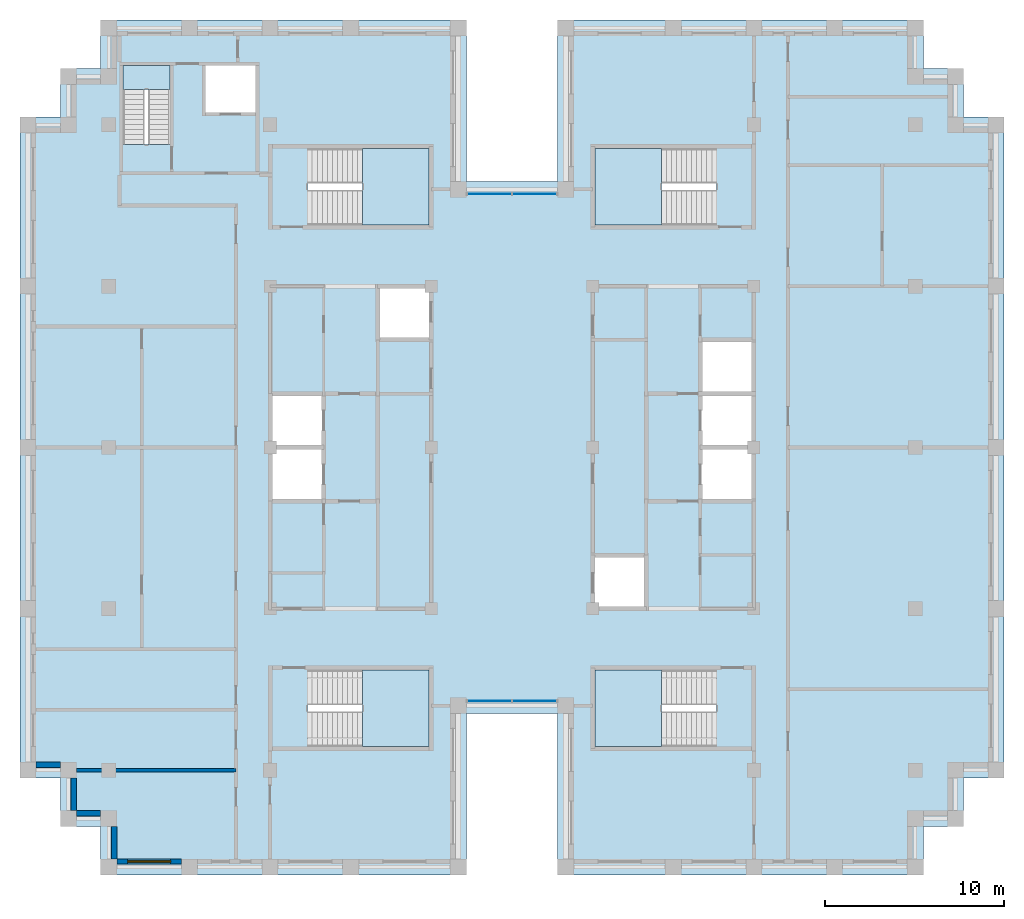
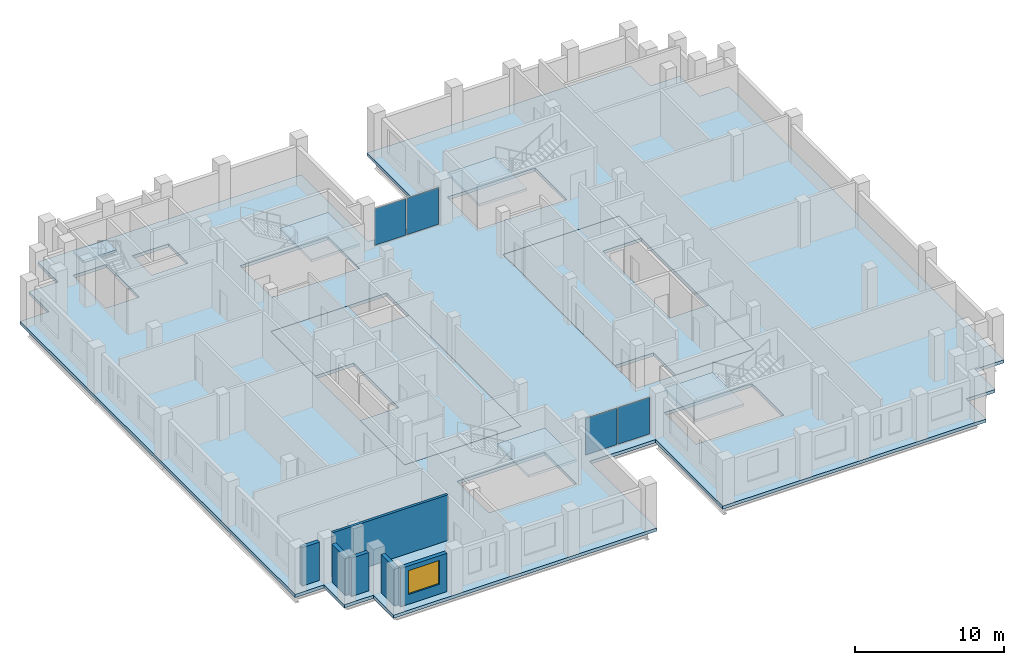
# One storey, part 5 of 13: 8 slabs, 6 walls, 4 plates, 1 window, 1 opening, 7 elements without a shape of their own.
"""IFC4 building model written with IfcOpenShell, lengths in metres."""

from ifc_helpers import new_model, si_unit, direction, frame, frame_2d, origin, origin_2d, place, context, subcontext, project, spatial, polyline, rectangle, outline, extrude, material, layer, layer_set, type_object, element, fill, aggregate, save


model = new_model("IFC4")

# Units and contexts
model_context = context("Model", 3, precision=1e-05, world=origin(), true_north=direction((0.0, 1.0)))
body_context = subcontext(model_context, "Body", "Model", "MODEL_VIEW")
ifc_project = project(units=[si_unit("LENGTHUNIT", "METRE"), si_unit("AREAUNIT", "SQUARE_METRE"), si_unit("VOLUMEUNIT", "CUBIC_METRE"), si_unit("PLANEANGLEUNIT", "RADIAN"), si_unit("MASSUNIT", "GRAM", prefix="KILO")], contexts=[model_context])

# Site, building, storey
site_placement = place(None, origin())
site = spatial("IfcSite", under=ifc_project, at=site_placement, CompositionType="ELEMENT")
building_placement = place(site_placement, origin())
building = spatial("IfcBuilding", under=site, at=building_placement, Name="Corbelhall Arena Tower", CompositionType="ELEMENT")
storey_placement = place(building_placement, frame((0.0, 0.0, 308.0)))
storey = spatial("IfcBuildingStorey", under=building, at=storey_placement, Name="L67", CompositionType="ELEMENT", Elevation=308.0)

# Curtain wall, plates
ifc_material_1 = material(Name="Aluminium black anodised", Category="aluminium")
ifc_layer_1 = layer(ifc_material_1, 0.199951171875)
ifc_layer_set_1 = layer_set([ifc_layer_1], Name="EV-CW1 Slot back wall")
curtain_wall_type = type_object("IfcCurtainWallType", Name="EV-CW1 Slot back wall", PredefinedType="NOTDEFINED", material=ifc_layer_set_1)
curtain_wall_1_placement = place(storey_placement, origin())
curtain_wall_1 = element("IfcCurtainWall", 1, at=curtain_wall_1_placement, inside=storey, type_object=curtain_wall_type, Name="Curtain wall CW1", PredefinedType="NOTDEFINED")
ifc_material_2 = material(Name="Glass dark tinted laminated", Category="glass")
ifc_layer_2 = layer(ifc_material_2, 0.028076171875)
ifc_layer_set_2 = layer_set([ifc_layer_2], Name="EV-CW1-PANEL")
plate_type = type_object("IfcPlateType", Name="EV-CW1-PANEL", PredefinedType="CURTAIN_PANEL", material=ifc_layer_set_2)
plate_1_placement = place(storey_placement, frame((-1.25634765625, -14.14990234375, 0.0751953125), z_axis=(0.0, 0.0, 1.0), x_axis=(1.0, 0.0, 0.0)))
plate_1 = element("IfcPlate", 2, at=plate_1_placement, type_object=plate_type, Name="CW1 panel 1.1", PredefinedType="CURTAIN_PANEL", context=body_context, shape_type="SweptSolid", body=[
    extrude(rectangle(XDim=2.4375, YDim=0.028076171875, at=origin_2d()), origin(), (0.0, 0.0, 1.0), 2.989990234375),
])
plate_2_placement = place(storey_placement, frame((1.25634765625, -14.14990234375, 0.0751953125), z_axis=(0.0, 0.0, 1.0), x_axis=(1.0, 0.0, 0.0)))
plate_2 = element("IfcPlate", 3, at=plate_2_placement, type_object=plate_type, Name="CW1 panel 2.1", PredefinedType="CURTAIN_PANEL", context=body_context, shape_type="SweptSolid", body=[
    extrude(rectangle(XDim=2.4375, YDim=0.028076171875, at=origin_2d()), origin(), (0.0, 0.0, 1.0), 2.989990234375),
])
aggregate(curtain_wall_1, [plate_1, plate_2])

curtain_wall_2_placement = place(storey_placement, origin())
curtain_wall_2 = element("IfcCurtainWall", 4, at=curtain_wall_2_placement, inside=storey, type_object=curtain_wall_type, Name="Curtain wall CW1", PredefinedType="NOTDEFINED")
plate_3_placement = place(storey_placement, frame((1.25634765625, 14.14990234375, 0.0751953125), z_axis=(0.0, 0.0, 1.0), x_axis=(-1.0, 0.0, 0.0)))
plate_3 = element("IfcPlate", 5, at=plate_3_placement, type_object=plate_type, Name="CW1 panel 1.1", PredefinedType="CURTAIN_PANEL", context=body_context, shape_type="SweptSolid", body=[
    extrude(rectangle(XDim=2.4375, YDim=0.028076171875, at=origin_2d()), origin(), (0.0, 0.0, 1.0), 2.989990234375),
])
plate_4_placement = place(storey_placement, frame((-1.25634765625, 14.14990234375, 0.0751953125), z_axis=(0.0, 0.0, 1.0), x_axis=(-1.0, 0.0, 0.0)))
plate_4 = element("IfcPlate", 6, at=plate_4_placement, type_object=plate_type, Name="CW1 panel 2.1", PredefinedType="CURTAIN_PANEL", context=body_context, shape_type="SweptSolid", body=[
    extrude(rectangle(XDim=2.4375, YDim=0.028076171875, at=origin_2d()), origin(), (0.0, 0.0, 1.0), 2.989990234375),
])
aggregate(curtain_wall_2, [plate_3, plate_4])

# Slabs
ifc_material_3 = material(Name="Concrete C40/50", Category="concrete")
ifc_layer_3 = layer(ifc_material_3, 0.300048828125)
ifc_layer_set_3 = layer_set([ifc_layer_3], Name="IN-SL-CORE")
slab_type_1 = type_object("IfcSlabType", Name="IN-SL-CORE", PredefinedType="FLOOR", material=ifc_layer_set_3)
slab_1_placement = place(storey_placement, frame((0.0, 0.0, -0.260009765625)))
element("IfcSlab", 7, at=slab_1_placement, inside=storey, type_object=slab_type_1, Name="Core floor W", PredefinedType="FLOOR", context=body_context, shape_type="SweptSolid", body=[
    extrude(outline(polyline([(-13.5, -3.0), (-13.5, -9.0), (-4.5, -9.0), (-4.5, 6.0), (-7.5, 6.0), (-7.5, 9.0), (-13.5, 9.0), (-13.5, 3.0), (-10.5, 3.0), (-10.5, 0.0), (-10.5, -3.0), (-13.5, -3.0)])), origin(), (0.0, 0.0, 1.0), 0.260009765625),
])
slab_2_placement = place(storey_placement, frame((0.0, 0.0, -0.260009765625)))
element("IfcSlab", 8, at=slab_2_placement, inside=storey, type_object=slab_type_1, Name="Core floor E", PredefinedType="FLOOR", context=body_context, shape_type="SweptSolid", body=[
    extrude(outline(polyline([(10.5, 0.0), (10.5, 3.0), (10.5, 6.0), (13.5, 6.0), (13.5, 9.0), (4.5, 9.0), (4.5, -6.0), (7.5, -6.0), (7.5, -9.0), (13.5, -9.0), (13.5, -3.0), (10.5, -3.0), (10.5, 0.0)])), origin(), (0.0, 0.0, 1.0), 0.260009765625),
])

# Stair, slab
stair_type = type_object("IfcStairType", Name="IN-ST-TOWER", PredefinedType="HALF_TURN_STAIR", material=ifc_material_3)
stair_1_placement = place(storey_placement, origin())
stair_1 = element("IfcStair", 9, at=stair_1_placement, inside=storey, type_object=stair_type, Name="L67 Exit stair ST1", PredefinedType="HALF_TURN_STAIR")
ifc_layer_4 = layer(ifc_material_3, 0.199951171875)
ifc_layer_set_4 = layer_set([ifc_layer_4], Name="IN-SL-LANDING")
slab_type_2 = type_object("IfcSlabType", Name="IN-SL-LANDING", PredefinedType="LANDING", material=ifc_layer_set_4)
slab_3_placement = place(storey_placement, frame((0.0, 0.0, 1.800048828125)))
slab_3 = element("IfcSlab", 10, at=slab_3_placement, type_object=slab_type_2, Name="ST1 landing 1", PredefinedType="LANDING", context=body_context, shape_type="SweptSolid", body=[
    extrude(outline(polyline([(-8.344970703125, 12.425048828125), (-4.625, 12.425048828125), (-4.625, 16.675048828125), (-8.344970703125, 16.675048828125), (-8.344970703125, 12.425048828125)])), origin(), (0.0, 0.0, 1.0), 0.199951171875),
])
aggregate(stair_1, [slab_3])

stair_2_placement = place(storey_placement, origin())
stair_2 = element("IfcStair", 11, at=stair_2_placement, inside=storey, type_object=stair_type, Name="L67 Exit stair ST2", PredefinedType="HALF_TURN_STAIR")
slab_4_placement = place(storey_placement, frame((0.0, 0.0, 1.800048828125)))
slab_4 = element("IfcSlab", 12, at=slab_4_placement, type_object=slab_type_2, Name="ST2 landing 1", PredefinedType="LANDING", context=body_context, shape_type="SweptSolid", body=[
    extrude(outline(polyline([(-8.344970703125, -16.675048828125), (-4.625, -16.675048828125), (-4.625, -12.425048828125), (-8.344970703125, -12.425048828125), (-8.344970703125, -16.675048828125)])), origin(), (0.0, 0.0, 1.0), 0.199951171875),
])
aggregate(stair_2, [slab_4])

stair_3_placement = place(storey_placement, origin())
stair_3 = element("IfcStair", 13, at=stair_3_placement, inside=storey, type_object=stair_type, Name="L67 Exit stair ST3", PredefinedType="HALF_TURN_STAIR")
slab_5_placement = place(storey_placement, frame((0.0, 0.0, 1.800048828125)))
slab_5 = element("IfcSlab", 14, at=slab_5_placement, type_object=slab_type_2, Name="ST3 landing 1", PredefinedType="LANDING", context=body_context, shape_type="SweptSolid", body=[
    extrude(outline(polyline([(8.344970703125, 16.675048828125), (4.625, 16.675048828125), (4.625, 12.425048828125), (8.344970703125, 12.425048828125), (8.344970703125, 16.675048828125)])), origin(), (0.0, 0.0, 1.0), 0.199951171875),
])
aggregate(stair_3, [slab_5])

stair_4_placement = place(storey_placement, origin())
stair_4 = element("IfcStair", 15, at=stair_4_placement, inside=storey, type_object=stair_type, Name="L67 Exit stair ST4", PredefinedType="HALF_TURN_STAIR")
slab_6_placement = place(storey_placement, frame((0.0, 0.0, 1.800048828125)))
slab_6 = element("IfcSlab", 16, at=slab_6_placement, type_object=slab_type_2, Name="ST4 landing 1", PredefinedType="LANDING", context=body_context, shape_type="SweptSolid", body=[
    extrude(outline(polyline([(8.344970703125, -12.425048828125), (4.625, -12.425048828125), (4.625, -16.675048828125), (8.344970703125, -16.675048828125), (8.344970703125, -12.425048828125)])), origin(), (0.0, 0.0, 1.0), 0.199951171875),
])
aggregate(stair_4, [slab_6])

stair_5_placement = place(storey_placement, origin())
stair_5 = element("IfcStair", 17, at=stair_5_placement, inside=storey, type_object=stair_type, Name="L67 Exit stair ST5", PredefinedType="HALF_TURN_STAIR")
slab_7_placement = place(storey_placement, frame((0.0, 0.0, 1.800048828125)))
slab_7 = element("IfcSlab", 18, at=slab_7_placement, type_object=slab_type_2, Name="ST5 landing 1", PredefinedType="LANDING", context=body_context, shape_type="SweptSolid", body=[
    extrude(outline(polyline([(-19.094970703125, 19.97998046875), (-19.094970703125, 21.300048828125), (-21.695068359375, 21.300048828125), (-21.695068359375, 19.97998046875), (-19.094970703125, 19.97998046875)])), origin(), (0.0, 0.0, 1.0), 0.199951171875),
])
aggregate(stair_5, [slab_7])

# Slab
ifc_layer_5 = layer(ifc_material_3, 0.260009765625)
ifc_layer_set_5 = layer_set([ifc_layer_5], Name="ST-SLAB-FLOOR-260")
slab_type_3 = type_object("IfcSlabType", Name="ST-SLAB-FLOOR-260", PredefinedType="FLOOR", material=ifc_layer_set_5)
slab_8_placement = place(storey_placement, frame((0.0, 0.0, -0.260009765625)))
element("IfcSlab", 19, at=slab_8_placement, inside=storey, type_object=slab_type_3, Name="Floor slab L67 1", PredefinedType="FLOOR", context=body_context, shape_type="SweptSolid", body=[
    extrude(outline(polyline([(22.949951171875, 23.85009765625), (2.550048828125, 23.85009765625), (2.550048828125, 14.85009765625), (-2.550048828125, 14.85009765625), (-2.550048828125, 23.85009765625), (-22.949951171875, 23.85009765625), (-22.949951171875, 21.14990234375), (-25.199951171875, 21.14990234375), (-25.199951171875, 18.449951171875), (-27.449951171875, 18.449951171875), (-27.449951171875, -18.449951171875), (-25.199951171875, -18.449951171875), (-25.199951171875, -21.14990234375), (-22.949951171875, -21.14990234375), (-22.949951171875, -23.85009765625), (-2.550048828125, -23.85009765625), (-2.550048828125, -14.85009765625), (2.550048828125, -14.85009765625), (2.550048828125, -23.85009765625), (22.949951171875, -23.85009765625), (22.949951171875, -21.14990234375), (25.199951171875, -21.14990234375), (25.199951171875, -18.449951171875), (27.449951171875, -18.449951171875), (27.449951171875, 18.449951171875), (25.199951171875, 18.449951171875), (25.199951171875, 21.14990234375), (22.949951171875, 21.14990234375), (22.949951171875, 23.85009765625)]), holes=[polyline([(-13.5, 9.0), (-13.5, -9.0), (-4.5, -9.0), (-4.5, 9.0), (-13.5, 9.0)]), polyline([(4.5, 9.0), (4.5, -9.0), (13.5, -9.0), (13.5, 9.0), (4.5, 9.0)]), polyline([(-4.625, 16.675048828125), (-11.422119140625, 16.675048828125), (-11.422119140625, 12.425048828125), (-4.625, 12.425048828125), (-4.625, 16.675048828125)]), polyline([(-4.625, -16.675048828125), (-4.625, -12.425048828125), (-11.422119140625, -12.425048828125), (-11.422119140625, -16.675048828125), (-4.625, -16.675048828125)]), polyline([(11.422119140625, 16.675048828125), (4.625, 16.675048828125), (4.625, 12.425048828125), (11.422119140625, 12.425048828125), (11.422119140625, 16.675048828125)]), polyline([(11.422119140625, -16.675048828125), (11.422119140625, -12.425048828125), (4.625, -12.425048828125), (4.625, -16.675048828125), (11.422119140625, -16.675048828125)]), polyline([(-21.695068359375, 21.300048828125), (-21.695068359375, 16.903076171875), (-19.094970703125, 16.903076171875), (-19.094970703125, 21.300048828125), (-21.695068359375, 21.300048828125)]), polyline([(-14.300048828125, 21.300048828125), (-17.10009765625, 21.300048828125), (-17.10009765625, 18.699951171875), (-14.300048828125, 18.699951171875), (-14.300048828125, 21.300048828125)])]), origin(), (0.0, 0.0, 1.0), 0.260009765625),
])

# Walls
ifc_material_4 = material(Name="Precast concrete C40/50 with granite facing", Category="masonry")
ifc_layer_6 = layer(ifc_material_4, 0.300048828125)
ifc_layer_set_6 = layer_set([ifc_layer_6], Name="EV-IW1 Infill panel 300")
wall_type_1 = type_object("IfcWallType", Name="EV-IW1 Infill panel 300", PredefinedType="SOLIDWALL", material=ifc_layer_set_6)
wall_1_placement = place(storey_placement, frame((-26.550048828125, -17.699951171875, 0.0), z_axis=(0.0, 0.0, 1.0), x_axis=(1.0, 0.0, 0.0)))
element("IfcWall", 20, at=wall_1_placement, inside=storey, type_object=wall_type_1, Name="Infill panel IW1", PredefinedType="SOLIDWALL", context=body_context, shape_type="SweptSolid", body=[
    extrude(rectangle(XDim=1.35009765625, YDim=0.300048828125, at=frame_2d((0.675048828125, 0.0))), origin(), (0.0, 0.0, 1.0), 3.139892578125),
])
wall_2_placement = place(storey_placement, frame((-24.449951171875, -18.449951171875, 0.0), z_axis=(0.0, 0.0, 1.0), x_axis=(0.0, -1.0, 0.0)))
element("IfcWall", 21, at=wall_2_placement, inside=storey, type_object=wall_type_1, Name="Infill panel IW1", PredefinedType="SOLIDWALL", context=body_context, shape_type="SweptSolid", body=[
    extrude(rectangle(XDim=1.800048828125, YDim=0.300048828125, at=frame_2d((0.89990234375, 0.0))), origin(), (0.0, 0.0, 1.0), 3.139892578125),
])
wall_3_placement = place(storey_placement, frame((-24.300048828125, -20.39990234375, 0.0), z_axis=(0.0, 0.0, 1.0), x_axis=(1.0, 0.0, 0.0)))
element("IfcWall", 22, at=wall_3_placement, inside=storey, type_object=wall_type_1, Name="Infill panel IW1", PredefinedType="SOLIDWALL", context=body_context, shape_type="SweptSolid", body=[
    extrude(rectangle(XDim=1.35009765625, YDim=0.300048828125, at=frame_2d((0.675048828125, 0.0))), origin(), (0.0, 0.0, 1.0), 3.139892578125),
])
wall_4_placement = place(storey_placement, frame((-22.199951171875, -21.14990234375, 0.0), z_axis=(0.0, 0.0, 1.0), x_axis=(0.0, -1.0, 0.0)))
element("IfcWall", 23, at=wall_4_placement, inside=storey, type_object=wall_type_1, Name="Infill panel IW1", PredefinedType="SOLIDWALL", context=body_context, shape_type="SweptSolid", body=[
    extrude(rectangle(XDim=1.800048828125, YDim=0.300048828125, at=frame_2d((0.89990234375, 0.0))), origin(), (0.0, 0.0, 1.0), 3.139892578125),
])

# Wall, opening, window
wall_5_placement = place(storey_placement, frame((-22.050048828125, -23.10009765625, 0.0), z_axis=(0.0, 0.0, 1.0), x_axis=(1.0, 0.0, 0.0)))
wall_5 = element("IfcWall", 24, at=wall_5_placement, inside=storey, type_object=wall_type_1, Name="Infill panel IW1", PredefinedType="SOLIDWALL", context=body_context, shape_type="SweptSolid", body=[
    extrude(rectangle(XDim=3.60009765625, YDim=0.300048828125, at=frame_2d((1.800048828125, 0.0))), origin(), (0.0, 0.0, 1.0), 3.139892578125),
])
opening_placement = place(wall_5_placement, frame((0.60009765625, 0.0, 0.800048828125)))
opening = element("IfcOpeningElement", 25, at=opening_placement, cuts=wall_5, Name="Opening WN1", PredefinedType="OPENING", context=body_context, shape_type="SweptSolid", body=[
    extrude(rectangle(XDim=2.39990234375, YDim=1.949951171875, at=frame_2d((1.199951171875, 0.97509765625))), frame((0.0, 0.14990234375, 0.0), z_axis=(0.0, -1.0, 0.0), x_axis=(1.0, 0.0, 0.0)), (0.0, 0.0, 1.0), 0.300048828125),
])
window_type = type_object("IfcWindowType", Name="EV-WN1 Office window", PartitioningType="SINGLE_PANEL", PredefinedType="WINDOW", material=ifc_material_1)
window_placement = place(opening_placement, origin())
window = element("IfcWindow", 26, at=window_placement, inside=storey, type_object=window_type, Name="Window WN1", OverallHeight=1.949951171875, OverallWidth=2.39990234375, PartitioningType="SINGLE_PANEL", PredefinedType="WINDOW", context=body_context, shape_type="SweptSolid", body=[
    extrude(rectangle(XDim=2.39990234375, YDim=1.949951171875, at=frame_2d((1.199951171875, 0.97509765625))), frame((0.0, 0.030029296875, 0.0), z_axis=(0.0, -1.0, 0.0), x_axis=(1.0, 0.0, 0.0)), (0.0, 0.0, 1.0), 0.06005859375),
])
fill(opening, window)

# Wall
ifc_material_5 = material(Name="Gypsum board on steel stud, acoustic", Category="steel")
ifc_layer_7 = layer(ifc_material_5, 0.199951171875)
ifc_layer_set_7 = layer_set([ifc_layer_7], Name="IN-W-DM200")
wall_type_2 = type_object("IfcWallType", Name="IN-W-DM200", PredefinedType="PARTITIONING", material=ifc_layer_set_7)
wall_6_placement = place(storey_placement, frame((-24.300048828125, -18.0, 0.0), z_axis=(0.0, 0.0, 1.0), x_axis=(1.0, 0.0, 0.0)))
element("IfcWall", 27, at=wall_6_placement, inside=storey, type_object=wall_type_2, Name="Partition 004", PredefinedType="PARTITIONING", context=body_context, shape_type="SweptSolid", body=[
    extrude(rectangle(XDim=8.900146484375, YDim=0.199951171875, at=frame_2d((4.4501953125, 0.0))), origin(), (0.0, 0.0, 1.0), 3.739990234375),
])

save(model, "model.ifc")
